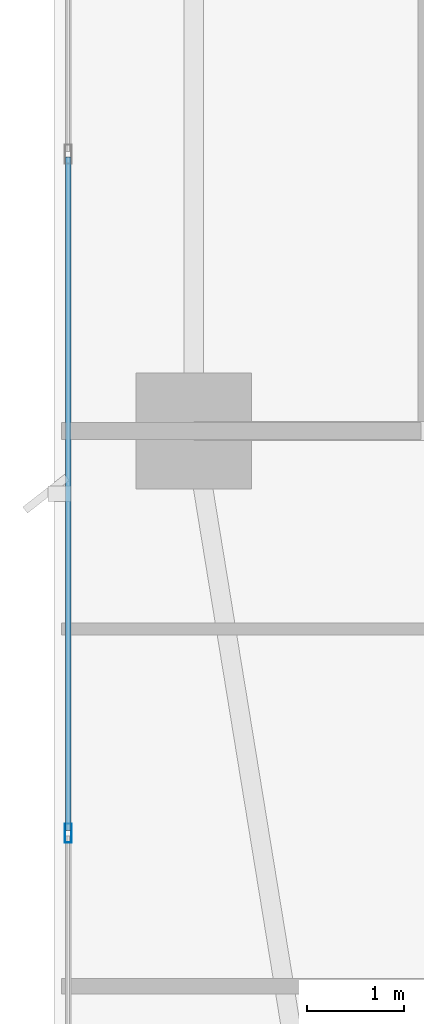
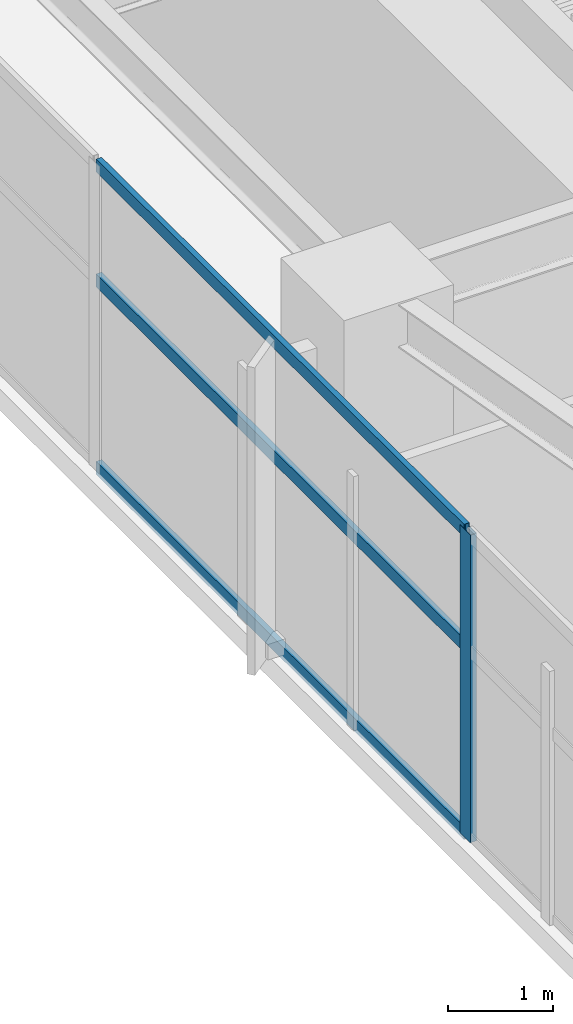
# One storey, part 4 of 29: 4 members, 1 element without a shape of its own.
"""IFC4 building model written with IfcOpenShell, lengths in metres."""

import ifcopenshell
import ifcopenshell.guid

model = None  # the IFC model being written
_history = None  # IfcOwnerHistory: only IFC2X3 demands one
_inside = {}  # id of a spatial element -> (the spatial element, [elements in it])
_under = {}  # id of a project, library or spatial element -> (it, [spatial elements below it])
_declared = {}  # id of a project -> (the project, [libraries it declares])
_typed = {}  # id of a type object -> (the type object, [elements of that type])
_made_of = {}  # id of a material, layer set ... -> (it, [elements and type objects made of it])


def new_model(schema):
    """Start an empty IFC model of exactly this schema.

    Asked for "IFC4X3", IfcOpenShell would pick the latest addendum, in which some entities
    have other attributes; the version numbers below select the first issue.
    IFC2X3 requires an IfcOwnerHistory on every rooted entity: one is made here for all.
    """
    global model, _history
    if schema == "IFC4X3":
        model = ifcopenshell.file(schema_version=(4, 3, 0, 0))
    else:
        model = ifcopenshell.file(schema=schema)
    _inside.clear()
    _under.clear()
    _declared.clear()
    _typed.clear()
    _made_of.clear()
    _history = None
    if model.schema == "IFC2X3":
        org = make("IfcOrganization", Name="unknown")
        user = make(
            "IfcPersonAndOrganization",
            ThePerson=make("IfcPerson", FamilyName="unknown"),
            TheOrganization=org,
        )
        app = make(
            "IfcApplication",
            ApplicationDeveloper=org,
            Version="unknown",
            ApplicationFullName="unknown",
            ApplicationIdentifier="unknown",
        )
        _history = make(
            "IfcOwnerHistory",
            OwningUser=user,
            OwningApplication=app,
            ChangeAction="ADDED",
            CreationDate=0,
        )
    return model


def make(cls, **values):
    """One entity of the class cls with the attributes given. An attribute that is None is left unset."""
    return model.create_entity(
        cls, **{name: value for name, value in values.items() if value is not None}
    )


def rooted(cls, **values):
    """An entity with a GlobalId (a new one), such as an element, a storey or a relation."""
    return make(cls, GlobalId=ifcopenshell.guid.new(), OwnerHistory=_history, **values)


def si_unit(unit_type, name, prefix=None):
    """IfcSIUnit, for example si_unit("LENGTHUNIT", "METRE", prefix="MILLI")."""
    return make("IfcSIUnit", UnitType=unit_type, Prefix=prefix, Name=name)


def assignment(units):
    """IfcUnitAssignment: the units of a project."""
    return None if units is None else make("IfcUnitAssignment", Units=units)


def point(xyz):
    """IfcCartesianPoint."""
    return None if xyz is None else make("IfcCartesianPoint", Coordinates=xyz)


def direction(xyz):
    """IfcDirection."""
    return None if xyz is None else make("IfcDirection", DirectionRatios=xyz)


def frame(location, z_axis=None, x_axis=None):
    """IfcAxis2Placement3D, a coordinate frame: its origin and axes. An axis left out is left unset."""
    return make(
        "IfcAxis2Placement3D",
        Location=point(location),
        Axis=direction(z_axis),
        RefDirection=direction(x_axis),
    )


def frame_2d(location, x_axis=None):
    """IfcAxis2Placement2D, a coordinate frame in the plane: its origin and x axis."""
    return make(
        "IfcAxis2Placement2D", Location=point(location), RefDirection=direction(x_axis)
    )


def origin():
    """The frame at (0, 0, 0) with its axes left unset."""
    return frame((0.0, 0.0, 0.0))


def origin_2d():
    """The frame at (0, 0) in the plane with its x axis left unset."""
    return frame_2d((0.0, 0.0))


def place(relative_to, where):
    """IfcLocalPlacement: puts the frame where relative to a parent placement (None: the world)."""
    return make(
        "IfcLocalPlacement", PlacementRelTo=relative_to, RelativePlacement=where
    )


def context(
    kind, dimensions, precision=None, world=None, true_north=None, identifier=None
):
    """IfcGeometricRepresentationContext, for example the 3D "Model" context."""
    return make(
        "IfcGeometricRepresentationContext",
        ContextIdentifier=identifier,
        ContextType=kind,
        CoordinateSpaceDimension=dimensions,
        Precision=precision,
        WorldCoordinateSystem=world,
        TrueNorth=true_north,
    )


def subcontext(parent, identifier, kind, view, scale=None):
    """IfcGeometricRepresentationSubContext, for example "Body" below "Model"."""
    return make(
        "IfcGeometricRepresentationSubContext",
        ContextIdentifier=identifier,
        ContextType=kind,
        ParentContext=parent,
        TargetScale=scale,
        TargetView=view,
    )


def project(units=None, contexts=None):
    """IfcProject with its units and contexts."""
    return rooted(
        "IfcProject",
        Name="project",
        RepresentationContexts=contexts,
        UnitsInContext=assignment(units),
    )


def spatial(cls, under=None, at=None, **own):
    """A site, building, storey or space (cls), placed at a placement, below another one or the project."""
    s = rooted(cls, ObjectPlacement=at, **own)
    if under is not None:
        _under.setdefault(under.id(), (under, []))[1].append(s)
    return s


def profile(cls, at=None, kind="AREA", **sizes):
    """A parametric profile (cls). Its sizes go by their IFC names, for example OverallWidth=200.0."""
    return make(cls, ProfileType=kind, Position=at, **sizes)


def hollow_rectangle(**sizes):
    """IfcRectangleHollowProfileDef."""
    return profile("IfcRectangleHollowProfileDef", **sizes)


def extrude(swept, where, along, depth):
    """IfcExtrudedAreaSolid: the profile swept, set in the frame where, extruded along a direction by depth."""
    return make(
        "IfcExtrudedAreaSolid",
        SweptArea=swept,
        Position=where,
        ExtrudedDirection=direction(along),
        Depth=depth,
    )


def shape(context_of_items, identifier, shape_type, items):
    """IfcShapeRepresentation: the items that make up one representation, for example the "Body"."""
    return make(
        "IfcShapeRepresentation",
        ContextOfItems=context_of_items,
        RepresentationIdentifier=identifier,
        RepresentationType=shape_type,
        Items=items,
    )


def material(Name=None, Category=None):
    """IfcMaterial."""
    return make("IfcMaterial", Name=Name, Category=Category)


def layer(
    of_material, thickness, ventilated=None, Name=None, Category=None, Priority=None
):
    """IfcMaterialLayer: one layer of a wall or slab, of a material (None: an air gap)."""
    return make(
        "IfcMaterialLayer",
        Material=of_material,
        LayerThickness=thickness,
        IsVentilated=ventilated,
        Name=Name,
        Category=Category,
        Priority=Priority,
    )


def layer_set(layers, Name=None):
    """IfcMaterialLayerSet."""
    return make("IfcMaterialLayerSet", MaterialLayers=layers, LayerSetName=Name)


def material_profile(
    of_material, cross_section, Name=None, Category=None, Priority=None
):
    """IfcMaterialProfile: a cross section and its material."""
    return make(
        "IfcMaterialProfile",
        Name=Name,
        Material=of_material,
        Profile=cross_section,
        Priority=Priority,
        Category=Category,
    )


def profile_set(profiles, Name=None, composite=None):
    """IfcMaterialProfileSet."""
    return make(
        "IfcMaterialProfileSet",
        Name=Name,
        MaterialProfiles=profiles,
        CompositeProfile=composite,
    )


def made_of(thing, what):
    """Note that an element or type object is made of a material, layer set ...; save() writes the relation."""
    if what is not None:
        _made_of.setdefault(what.id(), (what, []))[1].append(thing)
    return thing


def type_object(cls, material=None, **own):
    """A type object (cls), such as IfcWallType, which elements share."""
    return made_of(rooted(cls, **own), material)


def element(
    cls,
    number,
    at=None,
    inside=None,
    cuts=None,
    type_object=None,
    material=None,
    context=None,
    identifier="Body",
    shape_type=None,
    held_by="IfcProductDefinitionShape",
    body=None,
    shapes=None,
    **own,
):
    """One element of the class cls, such as IfcWall. Its Tag is "e" and its number.

    at: its placement. inside: the storey or other place that contains it. cuts: it is an
    opening in that element (IfcRelVoidsElement). A single representation is given by context,
    identifier, shape_type and body (its items); several are given by shapes. held_by: the class
    of the entity that holds the representations. save() writes the other relations.
    """
    e = rooted(cls, Tag="e%d" % number, ObjectPlacement=at, **own)
    if body is not None:
        shapes = [shape(context, identifier, shape_type, body)]
    if shapes is not None:
        e.Representation = make(held_by, Representations=shapes)
    if inside is not None:
        _inside.setdefault(inside.id(), (inside, []))[1].append(e)
    if cuts is not None:
        rooted(
            "IfcRelVoidsElement", RelatingBuildingElement=cuts, RelatedOpeningElement=e
        )
    if type_object is not None:
        _typed.setdefault(type_object.id(), (type_object, []))[1].append(e)
    return made_of(e, material)


def aggregate(whole, parts):
    """IfcRelAggregates: a whole, such as a stair, and the parts it consists of."""
    return rooted("IfcRelAggregates", RelatingObject=whole, RelatedObjects=parts)


def save(model, path):
    """Write the relations noted so far, then the file.

    IfcRelAggregates (storeys below a building ...), IfcRelContainedInSpatialStructure (elements
    in a storey), IfcRelDefinesByType, IfcRelAssociatesMaterial and IfcRelDeclares: one each for
    every whole, place, type object, material and project.
    """
    for whole, parts in _under.values():
        aggregate(whole, parts)
    for where, things in _inside.values():
        rooted(
            "IfcRelContainedInSpatialStructure",
            RelatedElements=things,
            RelatingStructure=where,
        )
    for kind, things in _typed.values():
        rooted("IfcRelDefinesByType", RelatedObjects=things, RelatingType=kind)
    for what, things in _made_of.values():
        rooted("IfcRelAssociatesMaterial", RelatedObjects=things, RelatingMaterial=what)
    for by, libraries in _declared.values():
        rooted("IfcRelDeclares", RelatingContext=by, RelatedDefinitions=libraries)
    model.write(path)


model = new_model("IFC4")

# Units and contexts
model_context = context("Model", 3, precision=1e-05, world=origin(), true_north=direction((0.0, 1.0)))
body_context = subcontext(model_context, "Body", "Model", "MODEL_VIEW")
ifc_project = project(units=[si_unit("LENGTHUNIT", "METRE"), si_unit("AREAUNIT", "SQUARE_METRE"), si_unit("VOLUMEUNIT", "CUBIC_METRE"), si_unit("PLANEANGLEUNIT", "RADIAN"), si_unit("MASSUNIT", "GRAM", prefix="KILO")], contexts=[model_context])

# Site, building, storey
site_placement = place(None, origin())
site = spatial("IfcSite", under=ifc_project, at=site_placement, CompositionType="ELEMENT")
building_placement = place(site_placement, origin())
building = spatial("IfcBuilding", under=site, at=building_placement, Name="Calvorn Quay Hotel", CompositionType="ELEMENT")
storey_placement = place(building_placement, frame((0.0, 0.0, 148.5)))
storey = spatial("IfcBuildingStorey", under=building, at=storey_placement, Name="L36", CompositionType="ELEMENT", Elevation=148.5)

# Curtain wall, members
ifc_material_1 = material(Name="Pale Anodised Aluminium and Low-E Glass", Category="aluminium")
ifc_layer = layer(ifc_material_1, 0.219970703125)
ifc_layer_set = layer_set([ifc_layer], Name="CW-SYS-Z2")
curtain_wall_type = type_object("IfcCurtainWallType", Name="CW-SYS-Z2", PredefinedType="NOTDEFINED", material=ifc_layer_set)
curtain_wall_placement = place(storey_placement, origin())
curtain_wall = element("IfcCurtainWall", 1, at=curtain_wall_placement, inside=storey, type_object=curtain_wall_type, Name="Tower West Curtain Wall (L36)", PredefinedType="NOTDEFINED")
ifc_material_2 = material(Name="Pale Anodised Aluminium 6063-T6", Category="aluminium")
ifc_material_profile_1 = material_profile(ifc_material_2, hollow_rectangle(XDim=0.070068359375, YDim=0.199951171875, WallThickness=0.00390625, at=origin_2d()), Name="ALU-M200x70x4")
ifc_profile_set_1 = profile_set([ifc_material_profile_1], Name="Pale Anodised Aluminium 6063-T6")
member_type_1 = type_object("IfcMemberType", Name="CW-SYS-Z2-MUL", PredefinedType="MULLION", material=ifc_profile_set_1)
member_1_placement = place(storey_placement, frame((0.14990234375, 12.63330078125, 0.0), z_axis=(0.0, 0.0, 1.0), x_axis=(-1.0, 0.0, 0.0)))
member_1 = element("IfcMember", 2, at=member_1_placement, type_object=member_type_1, Name="CW-L36-W mullion 2", PredefinedType="MULLION", context=body_context, shape_type="SweptSolid", body=[
    extrude(hollow_rectangle(XDim=0.070068359375, YDim=0.199951171875, WallThickness=0.00390625, at=origin_2d()), origin(), (0.0, 0.0, 1.0), 3.56005859375),
])
ifc_material_3 = material(Name="Pale Anodised Aluminium 6063-T6", Category="aluminium")
ifc_material_profile_2 = material_profile(ifc_material_3, hollow_rectangle(XDim=0.06005859375, YDim=0.14990234375, WallThickness=0.00341796875, at=origin_2d()), Name="ALU-T150x60x3.5")
ifc_profile_set_2 = profile_set([ifc_material_profile_2], Name="Pale Anodised Aluminium 6063-T6")
member_type_2 = type_object("IfcMemberType", Name="CW-SYS-Z2-TRN", PredefinedType="USERDEFINED", material=ifc_profile_set_2)
member_2_placement = place(storey_placement, frame((0.14990234375, 12.663330078125, 0.030029296875), z_axis=(0.0, 1.0, 0.0), x_axis=(-1.0, 0.0, 0.0)))
member_2 = element("IfcMember", 3, at=member_2_placement, type_object=member_type_2, Name="CW-L36-W transom 2.1", ObjectType="TRANSOM", PredefinedType="USERDEFINED", context=body_context, shape_type="SweptSolid", body=[
    extrude(hollow_rectangle(XDim=0.06005859375, YDim=0.14990234375, WallThickness=0.00341796875, at=origin_2d()), origin(), (0.0, 0.0, 1.0), 6.973388671875),
])
member_3_placement = place(storey_placement, frame((0.14990234375, 12.663330078125, 2.199951171875), z_axis=(0.0, 1.0, 0.0), x_axis=(-1.0, 0.0, 0.0)))
member_3 = element("IfcMember", 4, at=member_3_placement, type_object=member_type_2, Name="CW-L36-W transom 2.2", ObjectType="TRANSOM", PredefinedType="USERDEFINED", context=body_context, shape_type="SweptSolid", body=[
    extrude(hollow_rectangle(XDim=0.06005859375, YDim=0.14990234375, WallThickness=0.00341796875, at=origin_2d()), origin(), (0.0, 0.0, 1.0), 6.973388671875),
])
member_4_placement = place(storey_placement, frame((0.14990234375, 12.663330078125, 3.530029296875), z_axis=(0.0, 1.0, 0.0), x_axis=(-1.0, 0.0, 0.0)))
member_4 = element("IfcMember", 5, at=member_4_placement, type_object=member_type_2, Name="CW-L36-W transom 2.3", ObjectType="TRANSOM", PredefinedType="USERDEFINED", context=body_context, shape_type="SweptSolid", body=[
    extrude(hollow_rectangle(XDim=0.06005859375, YDim=0.14990234375, WallThickness=0.00341796875, at=origin_2d()), origin(), (0.0, 0.0, 1.0), 6.973388671875),
])
aggregate(curtain_wall, [member_1, member_2, member_3, member_4])

save(model, "model.ifc")
